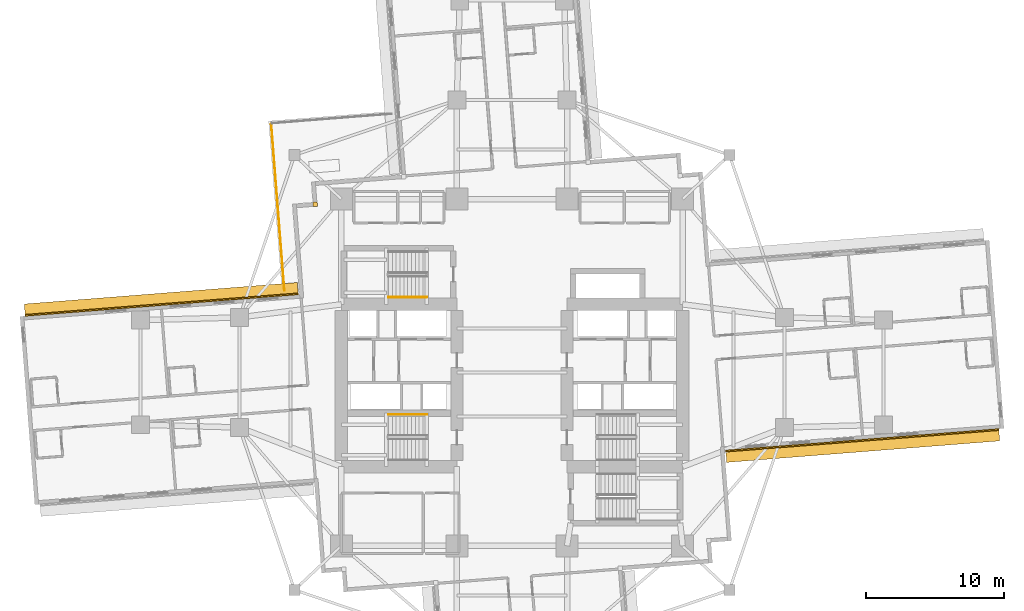
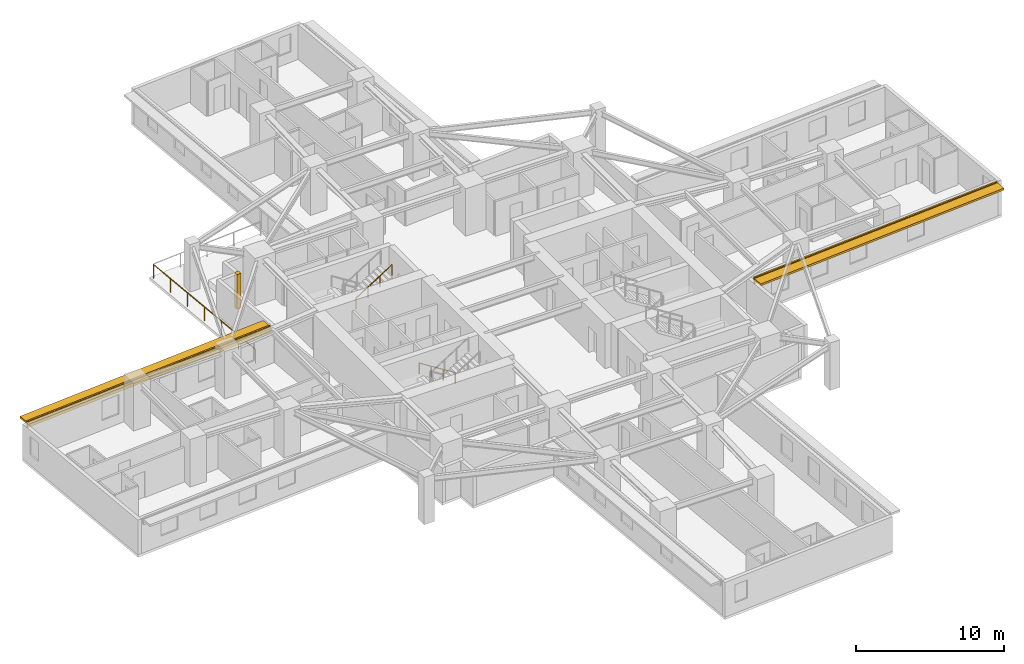
# One storey, part 11 of 13: 3 coverings, 3 railings, 2 shading devices.
"""IFC4 building model written with IfcOpenShell, lengths in metres."""

from ifc_helpers import new_model, si_unit, direction, frame, origin, origin_2d, place, context, subcontext, project, spatial, rectangle, circle, extrude, material, layer, layer_set, type_object, element, save


model = new_model("IFC4")

# Units and contexts
model_context = context("Model", 3, precision=1e-05, world=origin(), true_north=direction((0.0, 1.0)))
body_context = subcontext(model_context, "Body", "Model", "MODEL_VIEW")
ifc_project = project(units=[si_unit("LENGTHUNIT", "METRE"), si_unit("AREAUNIT", "SQUARE_METRE"), si_unit("VOLUMEUNIT", "CUBIC_METRE"), si_unit("PLANEANGLEUNIT", "RADIAN"), si_unit("MASSUNIT", "GRAM", prefix="KILO")], contexts=[model_context])

# Site, building, storey
site_placement = place(None, origin())
site = spatial("IfcSite", under=ifc_project, at=site_placement, CompositionType="ELEMENT")
building_placement = place(site_placement, origin())
building = spatial("IfcBuilding", under=site, at=building_placement, Name="Qingluan Cross Belvedere", CompositionType="ELEMENT")
storey_placement = place(building_placement, frame((0.0, 0.0, 43.199951171875)))
storey = spatial("IfcBuildingStorey", under=building, at=storey_placement, Name="L11", CompositionType="ELEMENT", Elevation=43.199951171875)

# Coverings
ifc_material_1 = material(Name="Precast concrete C45", Category="concrete")
ifc_layer_1 = layer(ifc_material_1, 0.1201171875, Name="ConcreteSpandrelCladding_120")
ifc_layer_set_1 = layer_set([ifc_layer_1], Name="Precast concrete C45")
covering_type = type_object("IfcCoveringType", Name="ConcreteSpandrelCladding_120", PredefinedType="CLADDING", material=ifc_layer_set_1)
for number, where, z_axis, x_axis, name in (
    (1, (25.455078125, -4.927978515625, 2.400146484375), (0.0, 0.0, 1.0), (0.996917430244, 0.078457869429, 0.0), "Spandrel cladding L11-EA"),
    (2, (-25.455078125, 4.927978515625, 2.400146484375), (0.0, 0.0, 1.0), (-0.996917430244, -0.078457869429, 0.0), "Spandrel cladding L11-WA"),
):
    element("IfcCovering", number, at=place(storey_placement, frame(where, z_axis=z_axis, x_axis=x_axis)), inside=storey, type_object=covering_type, Name=name, PredefinedType="CLADDING", context=body_context, shape_type="SweptSolid", body=[
        extrude(rectangle(XDim=19.89990234375, YDim=0.1201171875, at=origin_2d()), origin(), (0.0, 0.0, 1.0), 0.52001953125),
    ])
covering_placement = place(storey_placement, frame((-14.302490234375, 12.215576171875, 0.0), z_axis=(0.0, 0.0, 1.0), x_axis=(0.996917333733, 0.078459095728, 0.0)))
element("IfcCovering", 3, at=covering_placement, inside=storey, type_object=covering_type, Name="Corner closure L11-NW1", PredefinedType="CLADDING", context=body_context, shape_type="SweptSolid", body=[
    extrude(rectangle(XDim=0.320068359375, YDim=0.320068359375, at=origin_2d()), origin(), (0.0, 0.0, 1.0), 2.860107421875),
])

# Shading devices
ifc_material_2 = material(Name="Precast concrete C45", Category="concrete")
ifc_layer_2 = layer(ifc_material_2, 0.159912109375, Name="ConcreteSunshadeBand_900")
ifc_layer_set_2 = layer_set([ifc_layer_2], Name="Precast concrete C45")
shading_device_type = type_object("IfcShadingDeviceType", Name="ConcreteSunshadeBand_900", PredefinedType="USERDEFINED", material=ifc_layer_set_2)
for number, where, z_axis, x_axis, name in (
    (4, (25.48486328125, -5.306884765625, 2.68017578125), (0.0, 0.0, 1.0), (0.996917430244, 0.078457869429, 0.0), "Concrete SUNSHADE L11-EA"),
    (5, (-25.48486328125, 5.306884765625, 2.68017578125), (0.0, 0.0, 1.0), (-0.996917430244, -0.078457869429, 0.0), "Concrete SUNSHADE L11-WA"),
):
    element("IfcShadingDevice", number, at=place(storey_placement, frame(where, z_axis=z_axis, x_axis=x_axis)), inside=storey, type_object=shading_device_type, Name=name, ObjectType="SUNSHADE", PredefinedType="USERDEFINED", context=body_context, shape_type="SweptSolid", body=[
        extrude(rectangle(XDim=19.89990234375, YDim=0.89990234375, at=origin_2d()), origin(), (0.0, 0.0, 1.0), 0.159912109375),
    ])

# Railings
ifc_material_3 = material(Name="Brushed stainless steel tubular handrail", Category="steel")
railing_type_1 = type_object("IfcRailingType", Name="StairPitchHandrail_900", PredefinedType="HANDRAIL", material=ifc_material_3)
railing_1_placement = place(storey_placement, frame((-6.179931640625, -3.050048828125, 0.17724609375)))
element("IfcRailing", 6, at=railing_1_placement, inside=storey, type_object=railing_type_1, Name="L11 ST1 stair handrail 1", PredefinedType="HANDRAIL", context=body_context, shape_type="SweptSolid", body=[
    extrude(circle(Radius=0.02392578125, at=origin_2d()), frame((0.0, 0.0, 0.8759765625), z_axis=(-0.844908973607, 0.0, 0.534910110503), x_axis=(0.0, -1.0, 0.0)), (0.0, 0.0, 1.0), 3.31396484375),
    extrude(circle(Radius=0.02099609375, at=origin_2d()), origin(), (0.0, 0.0, 1.0), 0.851806640625),
    extrude(circle(Radius=0.02099609375, at=origin_2d()), frame((-0.933349609375, 0.0, 0.5908203125)), (0.0, 0.0, 1.0), 0.851806640625),
    extrude(circle(Radius=0.02099609375, at=origin_2d()), frame((-1.86669921875, 0.0, 1.181884765625)), (0.0, 0.0, 1.0), 0.851806640625),
    extrude(circle(Radius=0.02099609375, at=origin_2d()), frame((-2.800048828125, 0.0, 1.772705078125)), (0.0, 0.0, 1.0), 0.851806640625),
])
railing_2_placement = place(storey_placement, frame((-8.97998046875, 5.469970703125, 2.12744140625)))
element("IfcRailing", 7, at=railing_2_placement, inside=storey, type_object=railing_type_1, Name="L11 ST3 stair handrail 2", PredefinedType="HANDRAIL", context=body_context, shape_type="SweptSolid", body=[
    extrude(circle(Radius=0.02392578125, at=origin_2d()), frame((0.0, 0.0, 0.8759765625), z_axis=(0.844908973607, 0.0, 0.534910110503), x_axis=(0.0, 1.0, 0.0)), (0.0, 0.0, 1.0), 3.31396484375),
    extrude(circle(Radius=0.02099609375, at=origin_2d()), origin(), (0.0, 0.0, 1.0), 0.851806640625),
    extrude(circle(Radius=0.02099609375, at=origin_2d()), frame((0.933349609375, 0.0, 0.5908203125)), (0.0, 0.0, 1.0), 0.851806640625),
    extrude(circle(Radius=0.02099609375, at=origin_2d()), frame((1.86669921875, 0.0, 1.181884765625)), (0.0, 0.0, 1.0), 0.851806640625),
    extrude(circle(Radius=0.02099609375, at=origin_2d()), frame((2.800048828125, 0.0, 1.772705078125)), (0.0, 0.0, 1.0), 0.851806640625),
])
ifc_material_4 = material(Name="Laminated glass and stainless steel balustrade", Category="steel")
railing_type_2 = type_object("IfcRailingType", Name="TerraceGuardBalustrade_1150", PredefinedType="BALUSTRADE", material=ifc_material_4)
railing_3_placement = place(storey_placement, frame((-16.538818359375, 5.960693359375, 0.0)))
element("IfcRailing", 8, at=railing_3_placement, inside=storey, type_object=railing_type_2, Name="Terrace guard L11-1", PredefinedType="BALUSTRADE", context=body_context, shape_type="SweptSolid", body=[
    extrude(circle(Radius=0.02392578125, at=origin_2d()), frame((0.0, 0.0, 1.1259765625), z_axis=(-0.078438552314, 0.996918950322, 0.0), x_axis=(-0.996918950322, -0.078438552314, 0.0)), (0.0, 0.0, 1.0), 12.1201171875),
    extrude(circle(Radius=0.02099609375, at=origin_2d()), origin(), (0.0, 0.0, 1.0), 1.101806640625),
    extrude(circle(Radius=0.02099609375, at=origin_2d()), frame((-0.158447265625, 2.013671875, 0.0)), (0.0, 0.0, 1.0), 1.101806640625),
    extrude(circle(Radius=0.02099609375, at=origin_2d()), frame((-0.31689453125, 4.027587890625, 0.0)), (0.0, 0.0, 1.0), 1.101806640625),
    extrude(circle(Radius=0.02099609375, at=origin_2d()), frame((-0.475341796875, 6.04150390625, 0.0)), (0.0, 0.0, 1.0), 1.101806640625),
    extrude(circle(Radius=0.02099609375, at=origin_2d()), frame((-0.6337890625, 8.05517578125, 0.0)), (0.0, 0.0, 1.0), 1.101806640625),
    extrude(circle(Radius=0.02099609375, at=origin_2d()), frame((-0.792236328125, 10.06884765625, 0.0)), (0.0, 0.0, 1.0), 1.101806640625),
    extrude(circle(Radius=0.02099609375, at=origin_2d()), frame((-0.95068359375, 12.082763671875, 0.0)), (0.0, 0.0, 1.0), 1.101806640625),
])

save(model, "model.ifc")
